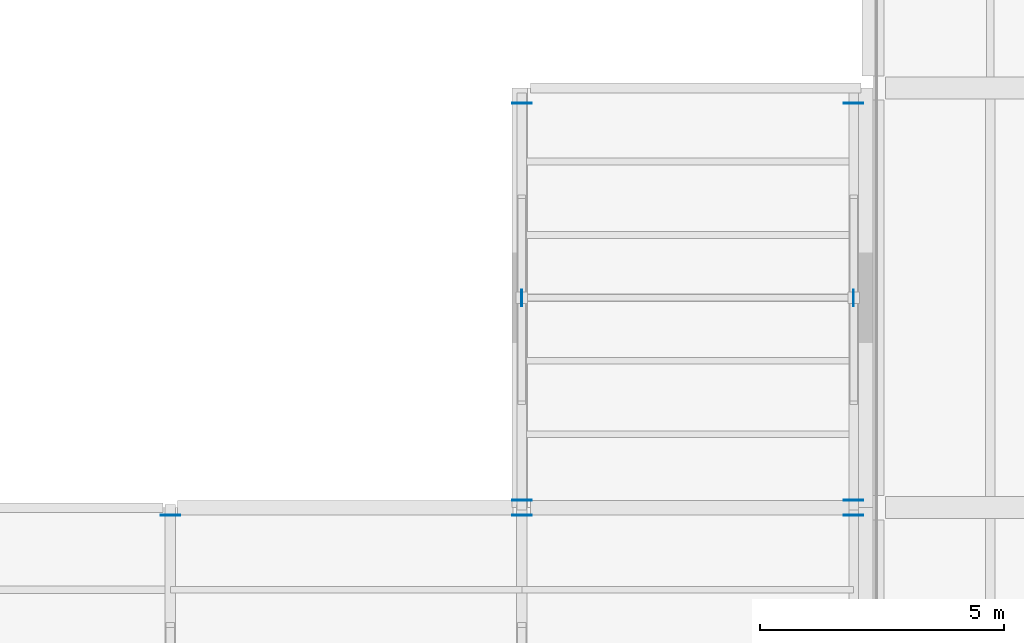
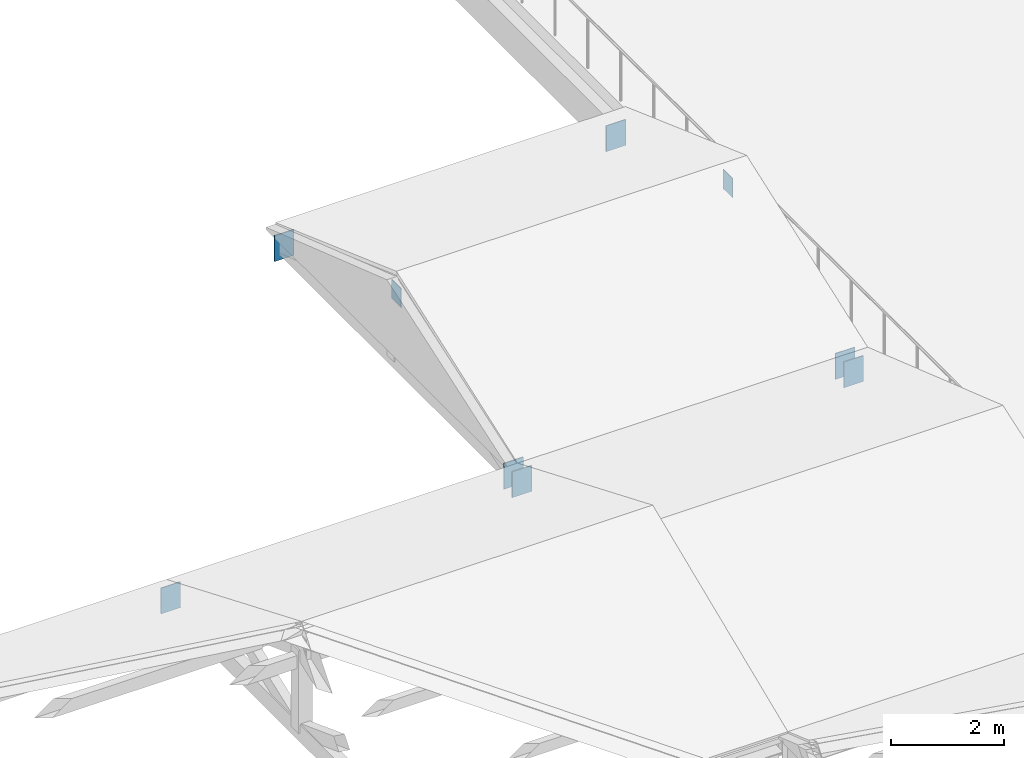
# One storey, part 80 of 115: 9 plates.
"""IFC4 building model written with IfcOpenShell, lengths in metres."""

from ifc_helpers import new_model, si_unit, direction, frame, origin, origin_2d, place, context, subcontext, project, spatial, rectangle, extrude, material, layer, layer_set, type_object, element, save


model = new_model("IFC4")

# Units and contexts
model_context = context("Model", 3, precision=1e-05, world=origin(), true_north=direction((0.0, 1.0)))
body_context = subcontext(model_context, "Body", "Model", "MODEL_VIEW")
ifc_project = project(units=[si_unit("LENGTHUNIT", "METRE"), si_unit("AREAUNIT", "SQUARE_METRE"), si_unit("VOLUMEUNIT", "CUBIC_METRE"), si_unit("PLANEANGLEUNIT", "RADIAN"), si_unit("MASSUNIT", "GRAM", prefix="KILO")], contexts=[model_context])

# Site, building, storey
site_placement = place(None, origin())
site = spatial("IfcSite", under=ifc_project, at=site_placement, CompositionType="ELEMENT")
building_placement = place(site_placement, origin())
building = spatial("IfcBuilding", under=site, at=building_placement, Name="Hawrajan Terrace Health Centre", CompositionType="ELEMENT")
storey_placement = place(building_placement, frame((0.0, 0.0, 9.0)))
storey = spatial("IfcBuildingStorey", under=building, at=storey_placement, Name="L02", CompositionType="ELEMENT", Elevation=9.0)

# Plates
ifc_material = material(Name="Steel S355", Category="steel")
ifc_layer_1 = layer(ifc_material, 0.02001953125)
ifc_layer_set_1 = layer_set([ifc_layer_1], Name="Steel S355")
plate_type_1 = type_object("IfcPlateType", Name="HoldDownShoe_S355_20", PredefinedType="SHEET", material=ifc_layer_set_1)
for number, where, z_axis, x_axis, name in (
    (1, (100.60009765625, 36.64990234375, -0.5), (0.0, 0.0, 1.0), (1.0, 0.0, 0.0), "Pinned uplift hold-down shoe C-G13-TRM-SHOE-N"),
    (2, (107.800048828125, 36.64990234375, -0.5), (0.0, 0.0, 1.0), (1.0, 0.0, 0.0), "Pinned uplift hold-down shoe C-G14-TRM-SHOE-N"),
    (3, (114.60009765625, 36.64990234375, -0.5), (0.0, 0.0, 1.0), (1.0, 0.0, 0.0), "Pinned uplift hold-down shoe C-G15-TRS-SHOE-N"),
    (4, (107.800048828125, 36.949951171875, -0.5), (0.0, 0.0, 1.0), (1.0, 0.0, 0.0), "Pinned uplift hold-down shoe C-G14-TRS-NC-SHOE-S"),
    (5, (107.800048828125, 45.090087890625, -0.5), (0.0, 0.0, 1.0), (1.0, 0.0, 0.0), "Pinned uplift hold-down shoe C-G14-TRS-NC-SHOE-N"),
    (6, (114.60009765625, 36.949951171875, -0.5), (0.0, 0.0, 1.0), (1.0, 0.0, 0.0), "Pinned uplift hold-down shoe C-G15-TRS-NC-SHOE-S"),
    (7, (114.60009765625, 45.090087890625, -0.5), (0.0, 0.0, 1.0), (1.0, 0.0, 0.0), "Pinned uplift hold-down shoe C-G15-TRS-NC-SHOE-N"),
):
    element("IfcPlate", number, at=place(storey_placement, frame(where, z_axis=z_axis, x_axis=x_axis)), inside=storey, type_object=plate_type_1, Name=name, PredefinedType="SHEET", context=body_context, shape_type="SweptSolid", body=[
        extrude(rectangle(XDim=0.39990234375, YDim=0.02001953125, at=origin_2d()), origin(), (0.0, 0.0, 1.0), 0.56005859375),
    ])
ifc_layer_2 = layer(ifc_material, 0.011962890625)
ifc_layer_set_2 = layer_set([ifc_layer_2], Name="Steel S355")
plate_type_2 = type_object("IfcPlateType", Name="KnifePlate_S355_12", PredefinedType="SHEET", material=ifc_layer_set_2)
for number, where, z_axis, x_axis, name in (
    (8, (107.800048828125, 41.10009765625, 0.947998046875), (0.0, 0.0, 1.0), (1.0, 0.0, 0.0), "Slotted steel apex knife plate C-G14-TRS-NC"),
    (9, (114.60009765625, 41.10009765625, 0.947998046875), (0.0, 0.0, 1.0), (1.0, 0.0, 0.0), "Slotted steel apex knife plate C-G15-TRS-NC"),
):
    element("IfcPlate", number, at=place(storey_placement, frame(where, z_axis=z_axis, x_axis=x_axis)), inside=storey, type_object=plate_type_2, Name=name, PredefinedType="SHEET", context=body_context, shape_type="SweptSolid", body=[
        extrude(rectangle(XDim=0.011962890625, YDim=0.340087890625, at=origin_2d()), origin(), (0.0, 0.0, 1.0), 0.419921875),
    ])

save(model, "model.ifc")
